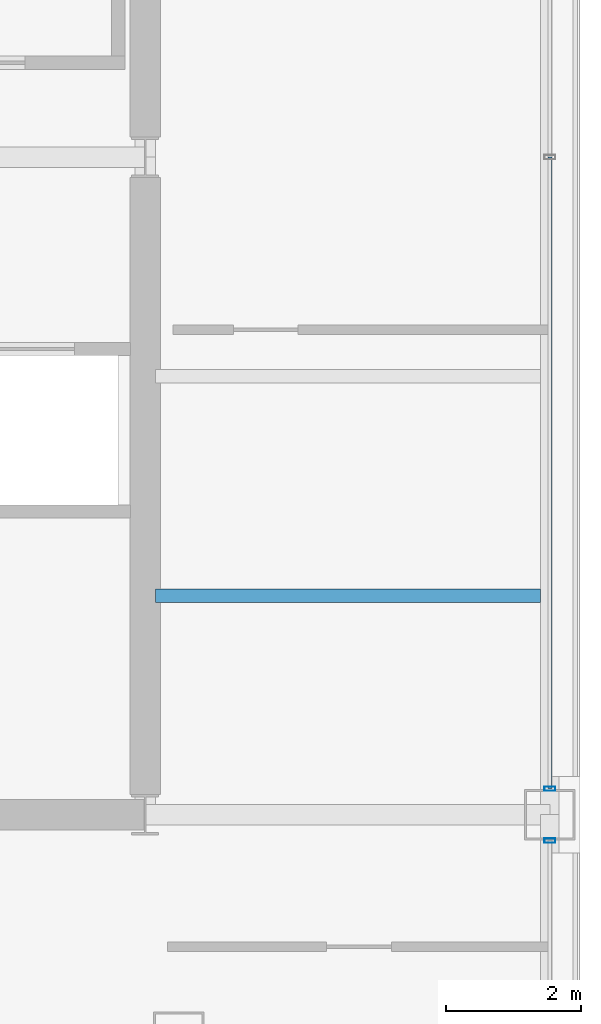
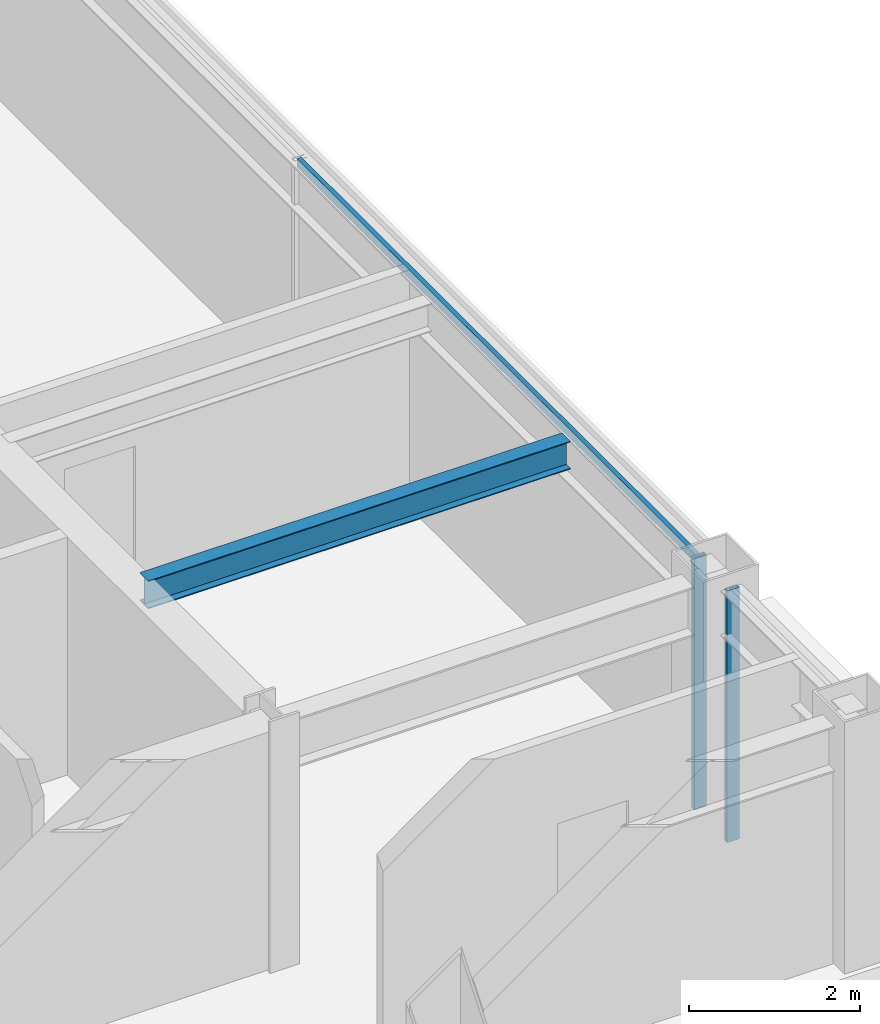
# One storey, part 13 of 28: 3 members, 1 beam, 2 elements without a shape of their own.
"""IFC4 building model written with IfcOpenShell, lengths in metres."""

from ifc_helpers import new_model, si_unit, direction, frame, origin, origin_2d, place, context, subcontext, project, spatial, hollow_rectangle, i_section, extrude, material, layer, layer_set, material_profile, profile_set, type_object, element, aggregate, save


model = new_model("IFC4")

# Units and contexts
model_context = context("Model", 3, precision=1e-05, world=origin(), true_north=direction((0.0, 1.0)))
body_context = subcontext(model_context, "Body", "Model", "MODEL_VIEW")
ifc_project = project(units=[si_unit("LENGTHUNIT", "METRE"), si_unit("AREAUNIT", "SQUARE_METRE"), si_unit("VOLUMEUNIT", "CUBIC_METRE"), si_unit("PLANEANGLEUNIT", "RADIAN"), si_unit("MASSUNIT", "GRAM", prefix="KILO")], contexts=[model_context])

# Site, building, storey
site_placement = place(None, origin())
site = spatial("IfcSite", under=ifc_project, at=site_placement, CompositionType="ELEMENT")
building_placement = place(site_placement, origin())
building = spatial("IfcBuilding", under=site, at=building_placement, Name="Brelmoor Portico Tower", CompositionType="ELEMENT")
storey_placement = place(building_placement, frame((0.0, 0.0, 155.10009765625)))
storey = spatial("IfcBuildingStorey", under=building, at=storey_placement, Name="L40", CompositionType="ELEMENT", Elevation=155.10009765625)

# Beam
ifc_material_1 = material(Name="Steel Q355B", Category="steel")
ifc_material_profile_1 = material_profile(ifc_material_1, i_section(OverallWidth=0.199951171875, OverallDepth=0.39990234375, WebThickness=0.008056640625, FlangeThickness=0.012939453125, at=origin_2d()), Name="HN 400x200x8x13")
ifc_profile_set_1 = profile_set([ifc_material_profile_1], Name="Steel Q355B")
beam_type = type_object("IfcBeamType", Name="BM-JS-400", PredefinedType="JOIST", material=ifc_profile_set_1)
beam_placement = place(storey_placement, frame((14.699951171875, -6.5, 3.199951171875), z_axis=(1.0, 0.0, 0.0), x_axis=(0.0, 1.0, 0.0)))
element("IfcBeam", 1, at=beam_placement, inside=storey, type_object=beam_type, Name="L40 Secondary Wing Joist JS-E06", PredefinedType="JOIST", context=body_context, shape_type="SweptSolid", body=[
    extrude(i_section(OverallWidth=0.199951171875, OverallDepth=0.39990234375, WebThickness=0.008056640625, FlangeThickness=0.012939453125, at=origin_2d()), origin(), (0.0, 0.0, 1.0), 5.7099609375),
])

# Curtain wall, member
ifc_material_2 = material(Name="Anodised Aluminium Alloy 6063-T6", Category="aluminium")
ifc_layer = layer(ifc_material_2, 0.179931640625)
ifc_layer_set = layer_set([ifc_layer], Name="Anodised Aluminium Alloy 6063-T6")
curtain_wall_type = type_object("IfcCurtainWallType", Name="CW-TOWER-Z3-XB", PredefinedType="NOTDEFINED", material=ifc_layer_set)
curtain_wall_1_placement = place(storey_placement, origin())
curtain_wall_1 = element("IfcCurtainWall", 2, at=curtain_wall_1_placement, inside=storey, type_object=curtain_wall_type, Name="L40 Curtain Wall CW-L40-04-1", PredefinedType="NOTDEFINED")
ifc_material_profile_2 = material_profile(ifc_material_2, hollow_rectangle(XDim=0.06494140625, YDim=0.1650390625, WallThickness=0.00390625, at=origin_2d()), Name="ALU MULLION 65x165")
ifc_profile_set_2 = profile_set([ifc_material_profile_2], Name="Anodised Aluminium Alloy 6063-T6")
member_type_1 = type_object("IfcMemberType", Name="MB-CW-MULL-165", PredefinedType="MULLION", material=ifc_profile_set_2)
member_1_placement = place(storey_placement, frame((20.550048828125, -10.135009765625, -0.2001953125), z_axis=(0.0, 0.0, 1.0), x_axis=(0.0, 1.0, 0.0)))
member_1 = element("IfcMember", 3, at=member_1_placement, type_object=member_type_1, Name="CW-L40-04-1 Mullion 01", PredefinedType="MULLION", context=body_context, shape_type="SweptSolid", body=[
    extrude(hollow_rectangle(XDim=0.06494140625, YDim=0.1650390625, WallThickness=0.00390625, at=origin_2d()), origin(), (0.0, 0.0, 1.0), 3.60009765625),
])
aggregate(curtain_wall_1, [member_1])

# Curtain wall, members
curtain_wall_2_placement = place(storey_placement, origin())
curtain_wall_2 = element("IfcCurtainWall", 4, at=curtain_wall_2_placement, inside=storey, type_object=curtain_wall_type, Name="L40 Curtain Wall CW-L40-04-2", PredefinedType="NOTDEFINED")
member_2_placement = place(storey_placement, frame((20.550048828125, -9.364990234375, -0.2001953125), z_axis=(0.0, 0.0, 1.0), x_axis=(0.0, 1.0, 0.0)))
member_2 = element("IfcMember", 5, at=member_2_placement, type_object=member_type_1, Name="CW-L40-04-2 Mullion 00", PredefinedType="MULLION", context=body_context, shape_type="SweptSolid", body=[
    extrude(hollow_rectangle(XDim=0.06494140625, YDim=0.1650390625, WallThickness=0.00390625, at=origin_2d()), origin(), (0.0, 0.0, 1.0), 3.60009765625),
])
ifc_material_profile_3 = material_profile(ifc_material_2, hollow_rectangle(XDim=0.06005859375, YDim=0.125, WallThickness=0.00341796875, at=origin_2d()), Name="ALU TRANSOM 60x125")
ifc_profile_set_3 = profile_set([ifc_material_profile_3], Name="Anodised Aluminium Alloy 6063-T6")
member_type_2 = type_object("IfcMemberType", Name="MB-CW-TRAN-125", PredefinedType="USERDEFINED", material=ifc_profile_set_3)
member_3_placement = place(storey_placement, frame((20.550048828125, -9.364990234375, 3.33740234375), z_axis=(0.0, 1.0, 0.0), x_axis=(-1.0, 0.0, 0.0)))
member_3 = element("IfcMember", 6, at=member_3_placement, type_object=member_type_2, Name="CW-L40-04-2 Transom 1-00", ObjectType="TRANSOM", PredefinedType="USERDEFINED", context=body_context, shape_type="SweptSolid", body=[
    extrude(hollow_rectangle(XDim=0.06005859375, YDim=0.125, WallThickness=0.00341796875, at=origin_2d()), origin(), (0.0, 0.0, 1.0), 9.364990234375),
])
aggregate(curtain_wall_2, [member_2, member_3])

save(model, "model.ifc")
